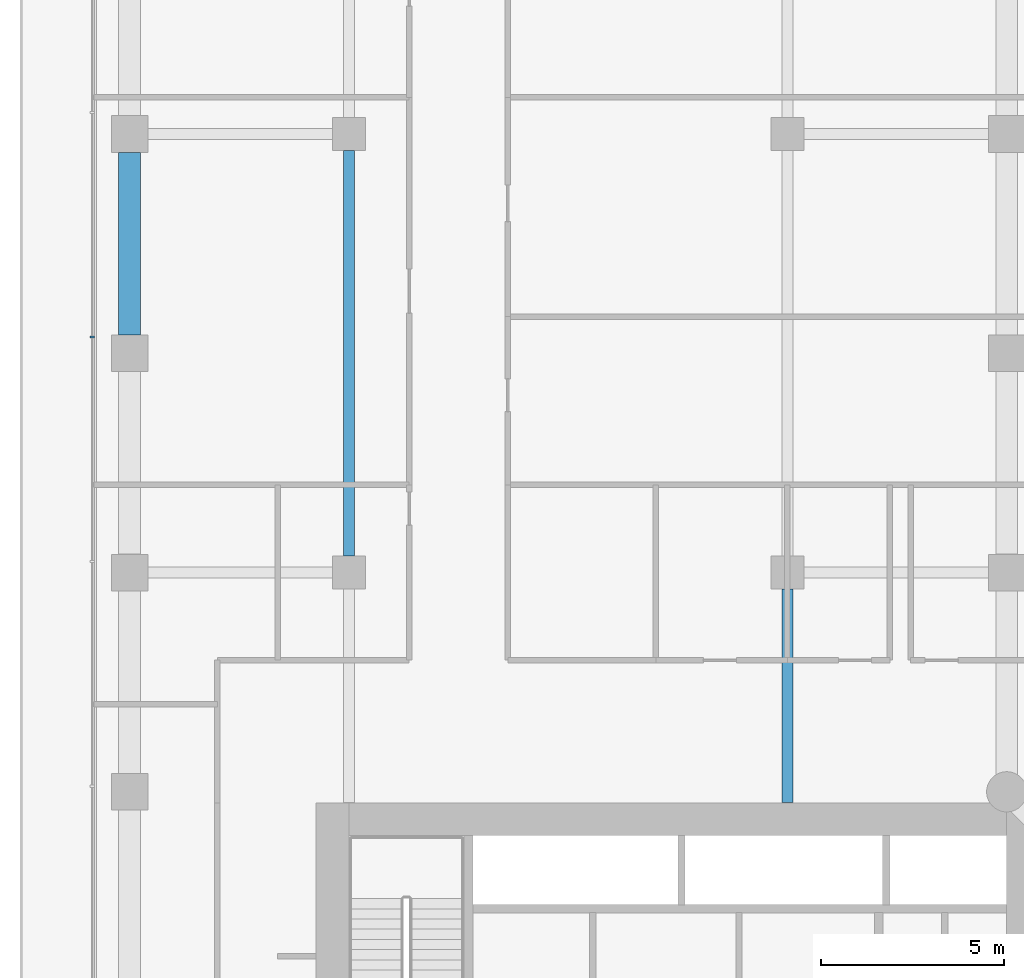
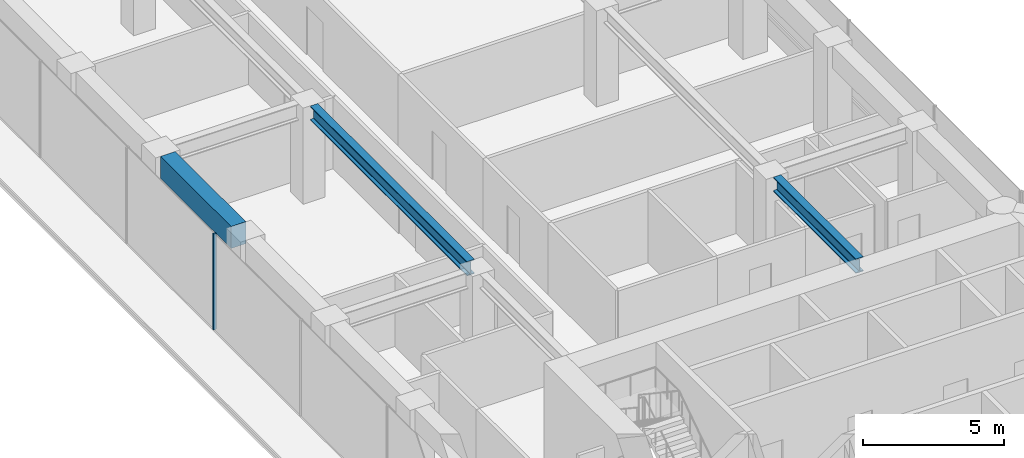
# One storey, part 13 of 24: 3 beams, 1 member, 1 element without a shape of its own.
"""IFC4 building model written with IfcOpenShell, lengths in metres."""

from ifc_helpers import new_model, si_unit, direction, frame, origin, origin_2d, place, context, subcontext, project, spatial, rectangle, i_section, extrude, material, layer, layer_set, material_profile, profile_set, type_object, element, aggregate, save


model = new_model("IFC4")

# Units and contexts
model_context = context("Model", 3, precision=1e-05, world=origin(), true_north=direction((0.0, 1.0)))
body_context = subcontext(model_context, "Body", "Model", "MODEL_VIEW")
ifc_project = project(units=[si_unit("LENGTHUNIT", "METRE"), si_unit("AREAUNIT", "SQUARE_METRE"), si_unit("VOLUMEUNIT", "CUBIC_METRE"), si_unit("PLANEANGLEUNIT", "RADIAN"), si_unit("MASSUNIT", "GRAM", prefix="KILO")], contexts=[model_context])

# Site, building, storey
site_placement = place(None, origin())
site = spatial("IfcSite", under=ifc_project, at=site_placement, CompositionType="ELEMENT")
building_placement = place(site_placement, origin())
building = spatial("IfcBuilding", under=site, at=building_placement, Name="Welwitschia Terrace Campus", CompositionType="ELEMENT")
storey_placement = place(building_placement, frame((0.0, 0.0, 20.0)))
storey = spatial("IfcBuildingStorey", under=building, at=storey_placement, Name="L04", CompositionType="ELEMENT", Elevation=20.0)

# Beams
ifc_material_1 = material(Name="Steel S355", Category="steel")
ifc_material_profile_1 = material_profile(ifc_material_1, i_section(OverallWidth=0.304931640625, OverallDepth=0.6201171875, WebThickness=0.02099609375, FlangeThickness=0.0400390625, FilletRadius=0.027099609375, at=origin_2d()))
ifc_profile_set_1 = profile_set([ifc_material_profile_1], Name="Steel S355")
beam_type_1 = type_object("IfcBeamType", Name="Interior girder HE 600 M", PredefinedType="BEAM", material=ifc_profile_set_1)
beam_1_placement = place(storey_placement, frame((6.0, 32.450439453125, 3.840087890625), z_axis=(0.0, 1.0, 0.0), x_axis=(-1.0, 0.0, 0.0)))
element("IfcBeam", 1, at=beam_1_placement, inside=storey, type_object=beam_type_1, Name="Girder GB1", PredefinedType="BEAM", context=body_context, shape_type="SweptSolid", body=[
    extrude(i_section(OverallWidth=0.304931640625, OverallDepth=0.6201171875, WebThickness=0.02099609375, FlangeThickness=0.0400390625, FilletRadius=0.027099609375, at=origin_2d()), origin(), (0.0, 0.0, 1.0), 11.09912109375),
])
beam_2_placement = place(storey_placement, frame((18.0, 25.700927734375, 3.840087890625), z_axis=(0.0, 1.0, 0.0), x_axis=(-1.0, 0.0, 0.0)))
element("IfcBeam", 2, at=beam_2_placement, inside=storey, type_object=beam_type_1, Name="Girder GB1", PredefinedType="BEAM", context=body_context, shape_type="SweptSolid", body=[
    extrude(i_section(OverallWidth=0.304931640625, OverallDepth=0.6201171875, WebThickness=0.02099609375, FlangeThickness=0.0400390625, FilletRadius=0.027099609375, at=origin_2d()), origin(), (0.0, 0.0, 1.0), 5.8486328125),
])

# Curtain wall, member
ifc_material_2 = material(Name="Bronze anodised aluminium", Category="aluminium")
ifc_layer = layer(ifc_material_2, 0.1201171875)
ifc_layer_set = layer_set([ifc_layer], Name="Bronze anodised aluminium")
curtain_wall_type = type_object("IfcCurtainWallType", Name="Curtain wall CW2 tower 6000", PredefinedType="NOTDEFINED", material=ifc_layer_set)
curtain_wall_placement = place(storey_placement, origin())
curtain_wall = element("IfcCurtainWall", 3, at=curtain_wall_placement, inside=storey, type_object=curtain_wall_type, Name="CW L04.9.0", PredefinedType="NOTDEFINED")
ifc_material_3 = material(Name="Bronze anodised aluminium", Category="aluminium")
ifc_material_profile_2 = material_profile(ifc_material_3, rectangle(XDim=0.1201171875, YDim=0.06005859375, at=origin_2d()))
ifc_profile_set_2 = profile_set([ifc_material_profile_2], Name="Bronze anodised aluminium")
member_type = type_object("IfcMemberType", Name="Mullion 60x120", PredefinedType="MULLION", material=ifc_profile_set_2)
member_placement = place(storey_placement, frame((-1.02001953125, 38.443115234375, 0.0), z_axis=(0.0, 0.0, 1.0), x_axis=(1.0, 0.0, 0.0)))
member = element("IfcMember", 4, at=member_placement, type_object=member_type, Name="Mullion L04.9.0.4", PredefinedType="MULLION", context=body_context, shape_type="SweptSolid", body=[
    extrude(rectangle(XDim=0.1201171875, YDim=0.06005859375, at=origin_2d()), origin(), (0.0, 0.0, 1.0), 4.14990234375),
])
aggregate(curtain_wall, [member])

# Beam
ifc_material_4 = material(Name="Concrete C60/75", Category="concrete")
ifc_material_profile_3 = material_profile(ifc_material_4, rectangle(XDim=0.60009765625, YDim=0.949951171875, at=origin_2d()))
ifc_profile_set_3 = profile_set([ifc_material_profile_3], Name="Concrete C60/75")
beam_type_2 = type_object("IfcBeamType", Name="Ring spandrel 600x950", PredefinedType="SPANDREL", material=ifc_profile_set_3)
beam_3_placement = place(storey_placement, frame((0.0, 43.49951171875, 3.675048828125), z_axis=(0.0, -1.0, 0.0), x_axis=(1.0, 0.0, 0.0)))
element("IfcBeam", 5, at=beam_3_placement, inside=storey, type_object=beam_type_2, Name="Spandrel SP1", PredefinedType="SPANDREL", context=body_context, shape_type="SweptSolid", body=[
    extrude(rectangle(XDim=0.60009765625, YDim=0.949951171875, at=origin_2d()), origin(), (0.0, 0.0, 1.0), 4.9990234375),
])

save(model, "model.ifc")
